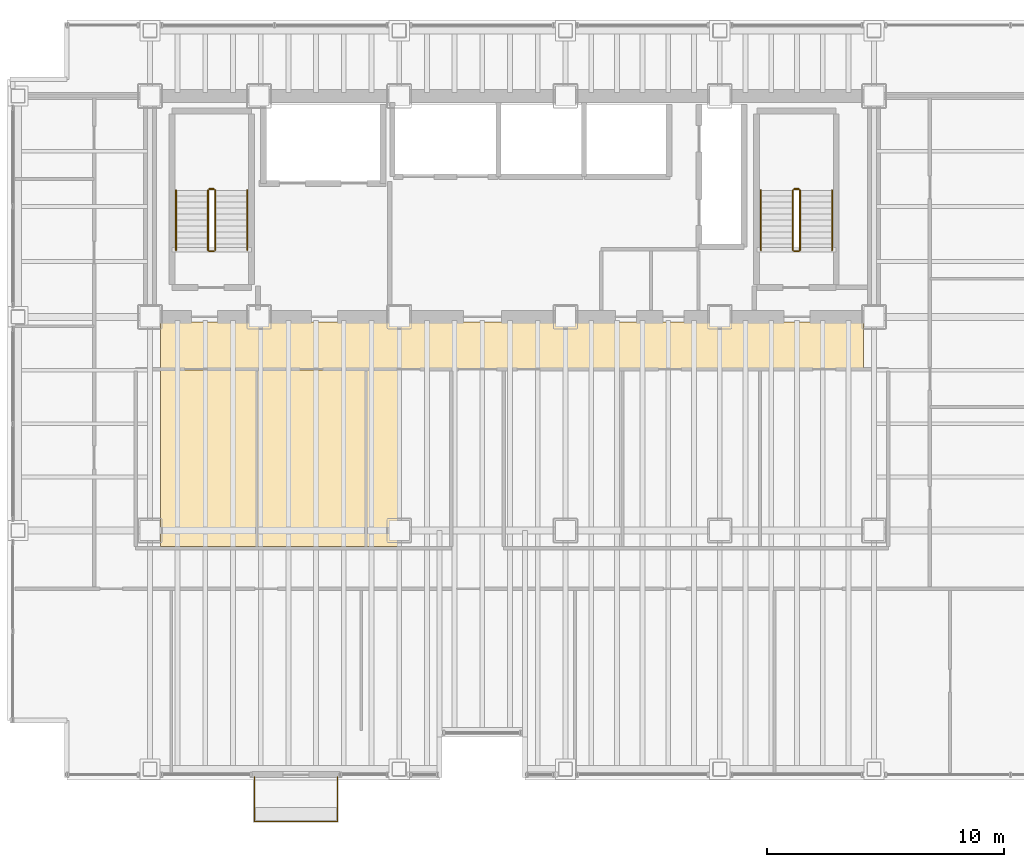
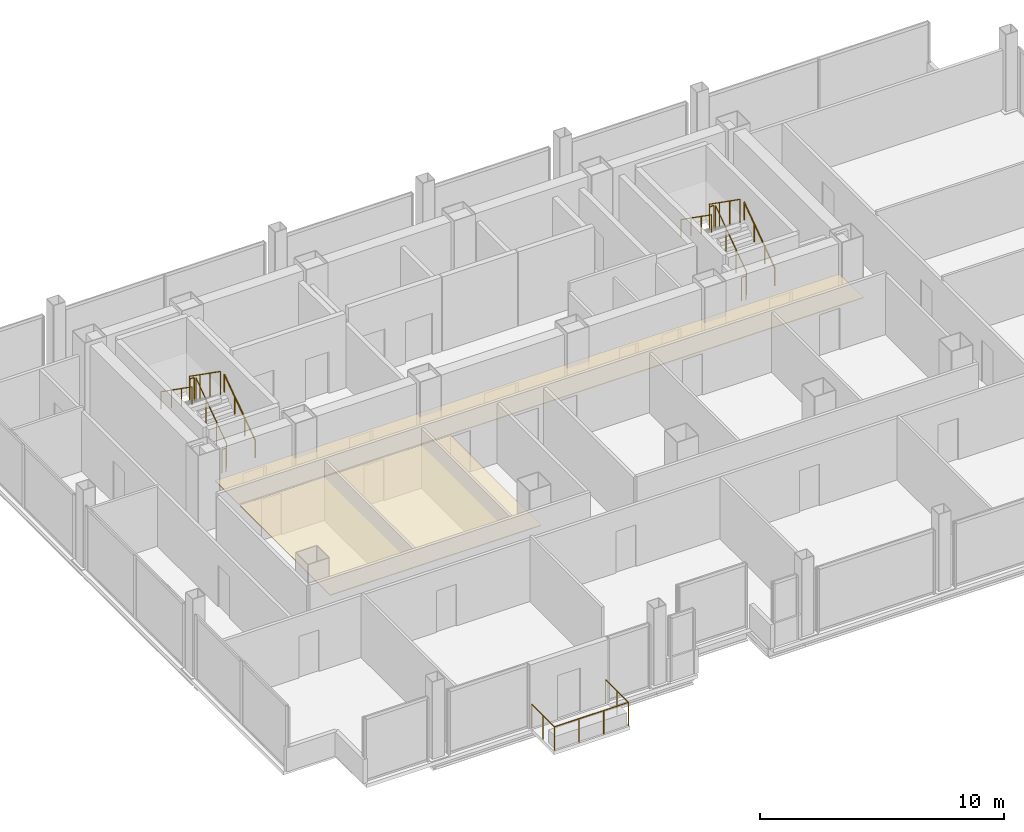
# One storey, part 21 of 21: 13 railings, 2 coverings.
"""IFC4 building model written with IfcOpenShell, lengths in metres."""

from ifc_helpers import new_model, si_unit, direction, frame, origin, origin_2d, place, context, subcontext, project, spatial, polyline, circle, outline, extrude, material, layer, layer_set, type_object, element, save


model = new_model("IFC4")

# Units and contexts
model_context = context("Model", 3, precision=1e-05, world=origin(), true_north=direction((0.0, 1.0)))
body_context = subcontext(model_context, "Body", "Model", "MODEL_VIEW")
ifc_project = project(units=[si_unit("LENGTHUNIT", "METRE"), si_unit("AREAUNIT", "SQUARE_METRE"), si_unit("VOLUMEUNIT", "CUBIC_METRE"), si_unit("PLANEANGLEUNIT", "RADIAN"), si_unit("MASSUNIT", "GRAM", prefix="KILO")], contexts=[model_context])

# Site, building, storey
site_placement = place(None, origin())
site = spatial("IfcSite", under=ifc_project, at=site_placement, CompositionType="ELEMENT")
building_placement = place(site_placement, origin())
building = spatial("IfcBuilding", under=site, at=building_placement, Name="Noeulbin Bourse Tower", CompositionType="ELEMENT")
storey_placement = place(building_placement, frame((0.0, 0.0, 92.800048828125)))
storey = spatial("IfcBuildingStorey", under=building, at=storey_placement, Name="L23", CompositionType="ELEMENT", Elevation=92.800048828125)

# Coverings
ifc_material_1 = material(Name="Perforated Mineral-Fibre Acoustic Tile")
ifc_layer_1 = layer(ifc_material_1, 0.0400390625)
ifc_layer_set_1 = layer_set([ifc_layer_1], Name="Perforated Mineral-Fibre Acoustic Tile")
covering_type = type_object("IfcCoveringType", Name="COV-CEIL-ACT", PredefinedType="CEILING", material=ifc_layer_set_1)
covering_1_placement = place(storey_placement, frame((0.0, 0.0, 2.10986328125)))
element("IfcCovering", 1, at=covering_1_placement, inside=storey, type_object=covering_type, Name="Corridor Suspended Ceiling L23", PredefinedType="CEILING", context=body_context, shape_type="SweptSolid", body=[
    extrude(outline(polyline([(13.949951171875, 26.820068359375), (43.550048828125, 26.820068359375), (43.550048828125, 28.780029296875), (13.949951171875, 28.780029296875), (13.949951171875, 26.820068359375)])), origin(), (0.0, 0.0, 1.0), 0.0400390625),
])
covering_2_placement = place(storey_placement, frame((0.0, 0.0, 2.10986328125)))
element("IfcCovering", 2, at=covering_2_placement, inside=storey, type_object=covering_type, Name="Trading Suite Acoustic Ceiling L23", PredefinedType="CEILING", context=body_context, shape_type="SweptSolid", body=[
    extrude(outline(polyline([(13.949951171875, 19.320068359375), (23.949951171875, 19.320068359375), (23.949951171875, 26.75), (13.949951171875, 26.75), (13.949951171875, 19.320068359375)])), origin(), (0.0, 0.0, 1.0), 0.0400390625),
])

# Railings
ifc_material_2 = material(Name="Laminated SentryGlas and Stainless Steel 316", Category="steel")
ifc_layer_2 = layer(ifc_material_2, 0.06005859375)
ifc_layer_set_2 = layer_set([ifc_layer_2], Name="Laminated SentryGlas and Stainless Steel 316")
railing_type_1 = type_object("IfcRailingType", Name="RLG-BAL-1200", PredefinedType="BALUSTRADE", material=ifc_layer_set_2)
railing_1_placement = place(storey_placement, frame((17.89990234375, 9.6201171875, 0.0)))
element("IfcRailing", 3, at=railing_1_placement, inside=storey, type_object=railing_type_1, Name="Tree-Balcony Glazed Balustrade L23", PredefinedType="BALUSTRADE", context=body_context, shape_type="SweptSolid", body=[
    extrude(circle(Radius=0.02392578125, at=origin_2d()), frame((0.0, 0.0, 1.17578125), z_axis=(0.0, -1.0, 0.0), x_axis=(1.0, 0.0, 0.0)), (0.0, 0.0, 1.0), 1.8701171875),
    extrude(circle(Radius=0.02392578125, at=origin_2d()), frame((0.0, -1.8701171875, 1.17578125), z_axis=(1.0, 0.0, 0.0), x_axis=(0.0, 1.0, 0.0)), (0.0, 0.0, 1.0), 3.5),
    extrude(circle(Radius=0.02392578125, at=origin_2d()), frame((3.5, -1.8701171875, 1.17578125), z_axis=(0.0, 1.0, 0.0), x_axis=(-1.0, 0.0, 0.0)), (0.0, 0.0, 1.0), 1.8701171875),
    extrude(circle(Radius=0.02099609375, at=origin_2d()), origin(), (0.0, 0.0, 1.0), 1.15185546875),
    extrude(circle(Radius=0.02099609375, at=origin_2d()), frame((0.0, -0.93505859375, 0.0)), (0.0, 0.0, 1.0), 1.15185546875),
    extrude(circle(Radius=0.02099609375, at=origin_2d()), frame((0.0, -1.8701171875, 0.0)), (0.0, 0.0, 1.0), 1.15185546875),
    extrude(circle(Radius=0.02099609375, at=origin_2d()), frame((1.166748046875, -1.8701171875, 0.0)), (0.0, 0.0, 1.0), 1.15185546875),
    extrude(circle(Radius=0.02099609375, at=origin_2d()), frame((2.333251953125, -1.8701171875, 0.0)), (0.0, 0.0, 1.0), 1.15185546875),
    extrude(circle(Radius=0.02099609375, at=origin_2d()), frame((3.5, -1.8701171875, 0.0)), (0.0, 0.0, 1.0), 1.15185546875),
    extrude(circle(Radius=0.02099609375, at=origin_2d()), frame((3.5, -0.93505859375, 0.0)), (0.0, 0.0, 1.0), 1.15185546875),
    extrude(circle(Radius=0.02099609375, at=origin_2d()), frame((3.5, 0.0, 0.0)), (0.0, 0.0, 1.0), 1.15185546875),
])
ifc_material_3 = material(Name="Painted Tubular Steel S355", Category="steel")
ifc_layer_3 = layer(ifc_material_3, 0.048095703125)
ifc_layer_set_3 = layer_set([ifc_layer_3], Name="Painted Tubular Steel S355")
railing_type_2 = type_object("IfcRailingType", Name="RLG-STR-GRD", PredefinedType="GUARDRAIL", material=ifc_layer_set_3)
railing_2_placement = place(storey_placement, frame((16.25, 31.81005859375, 0.17724609375)))
element("IfcRailing", 4, at=railing_2_placement, inside=storey, type_object=railing_type_2, Name="L23 ST-1 stair guard 1", PredefinedType="GUARDRAIL", context=body_context, shape_type="SweptSolid", body=[
    extrude(circle(Radius=0.02392578125, at=origin_2d()), frame((0.0, 0.0, 1.17578125), z_axis=(0.0, 0.817904474719, 0.575354039036), x_axis=(-1.0, 0.0, 0.0)), (0.0, 0.0, 1.0), 3.0810546875),
    extrude(circle(Radius=0.02099609375, at=origin_2d()), origin(), (0.0, 0.0, 1.0), 1.15185546875),
    extrude(circle(Radius=0.02099609375, at=origin_2d()), frame((0.0, 0.840087890625, 0.5908203125)), (0.0, 0.0, 1.0), 1.15185546875),
    extrude(circle(Radius=0.02099609375, at=origin_2d()), frame((0.0, 1.679931640625, 1.181884765625)), (0.0, 0.0, 1.0), 1.15185546875),
    extrude(circle(Radius=0.02099609375, at=origin_2d()), frame((0.0, 2.52001953125, 1.772705078125)), (0.0, 0.0, 1.0), 1.15185546875),
])
railing_3_placement = place(storey_placement, frame((16.199951171875, 34.3798828125, 1.949951171875)))
element("IfcRailing", 5, at=railing_3_placement, inside=storey, type_object=railing_type_2, Name="L23 ST-1 stair guard 2", PredefinedType="GUARDRAIL", context=body_context, shape_type="SweptSolid", body=[
    extrude(circle(Radius=0.02392578125, at=origin_2d()), frame((0.0, 0.0, 1.17578125), z_axis=(-1.0, 0.0, 0.0), x_axis=(0.0, -1.0, 0.0)), (0.0, 0.0, 1.0), 0.199951171875),
    extrude(circle(Radius=0.02099609375, at=origin_2d()), origin(), (0.0, 0.0, 1.0), 1.15185546875),
    extrude(circle(Radius=0.02099609375, at=origin_2d()), frame((-0.199951171875, 0.0, 0.0)), (0.0, 0.0, 1.0), 1.15185546875),
])
railing_4_placement = place(storey_placement, frame((15.949951171875, 34.330078125, 2.127197265625)))
element("IfcRailing", 6, at=railing_4_placement, inside=storey, type_object=railing_type_2, Name="L23 ST-1 stair guard 3", PredefinedType="GUARDRAIL", context=body_context, shape_type="SweptSolid", body=[
    extrude(circle(Radius=0.02392578125, at=origin_2d()), frame((0.0, 0.0, 1.17578125), z_axis=(0.0, -0.817904474719, 0.575354039036), x_axis=(1.0, 0.0, 0.0)), (0.0, 0.0, 1.0), 3.0810546875),
    extrude(circle(Radius=0.02099609375, at=origin_2d()), origin(), (0.0, 0.0, 1.0), 1.15185546875),
    extrude(circle(Radius=0.02099609375, at=origin_2d()), frame((0.0, -0.840087890625, 0.5908203125)), (0.0, 0.0, 1.0), 1.15185546875),
    extrude(circle(Radius=0.02099609375, at=origin_2d()), frame((0.0, -1.679931640625, 1.181884765625)), (0.0, 0.0, 1.0), 1.15185546875),
    extrude(circle(Radius=0.02099609375, at=origin_2d()), frame((0.0, -2.52001953125, 1.772705078125)), (0.0, 0.0, 1.0), 1.15185546875),
])
railing_5_placement = place(storey_placement, frame((16.199951171875, 31.760009765625, 0.0)))
element("IfcRailing", 7, at=railing_5_placement, inside=storey, type_object=railing_type_2, Name="L23 ST-1 stair guard 4", PredefinedType="GUARDRAIL", context=body_context, shape_type="SweptSolid", body=[
    extrude(circle(Radius=0.02392578125, at=origin_2d()), frame((0.0, 0.0, 1.17578125), z_axis=(-1.0, 0.0, 0.0), x_axis=(0.0, -1.0, 0.0)), (0.0, 0.0, 1.0), 0.199951171875),
    extrude(circle(Radius=0.02099609375, at=origin_2d()), origin(), (0.0, 0.0, 1.0), 1.15185546875),
    extrude(circle(Radius=0.02099609375, at=origin_2d()), frame((-0.199951171875, 0.0, 0.0)), (0.0, 0.0, 1.0), 1.15185546875),
])
railing_6_placement = place(storey_placement, frame((40.8798828125, 31.81005859375, 0.17724609375)))
element("IfcRailing", 8, at=railing_6_placement, inside=storey, type_object=railing_type_2, Name="L23 ST-2 stair guard 1", PredefinedType="GUARDRAIL", context=body_context, shape_type="SweptSolid", body=[
    extrude(circle(Radius=0.02392578125, at=origin_2d()), frame((0.0, 0.0, 1.17578125), z_axis=(0.0, 0.817904474719, 0.575354039036), x_axis=(-1.0, 0.0, 0.0)), (0.0, 0.0, 1.0), 3.0810546875),
    extrude(circle(Radius=0.02099609375, at=origin_2d()), origin(), (0.0, 0.0, 1.0), 1.15185546875),
    extrude(circle(Radius=0.02099609375, at=origin_2d()), frame((0.0, 0.840087890625, 0.5908203125)), (0.0, 0.0, 1.0), 1.15185546875),
    extrude(circle(Radius=0.02099609375, at=origin_2d()), frame((0.0, 1.679931640625, 1.181884765625)), (0.0, 0.0, 1.0), 1.15185546875),
    extrude(circle(Radius=0.02099609375, at=origin_2d()), frame((0.0, 2.52001953125, 1.772705078125)), (0.0, 0.0, 1.0), 1.15185546875),
])
railing_7_placement = place(storey_placement, frame((40.830078125, 34.3798828125, 1.949951171875)))
element("IfcRailing", 9, at=railing_7_placement, inside=storey, type_object=railing_type_2, Name="L23 ST-2 stair guard 2", PredefinedType="GUARDRAIL", context=body_context, shape_type="SweptSolid", body=[
    extrude(circle(Radius=0.02392578125, at=origin_2d()), frame((0.0, 0.0, 1.17578125), z_axis=(-1.0, 0.0, 0.0), x_axis=(0.0, -1.0, 0.0)), (0.0, 0.0, 1.0), 0.2001953125),
    extrude(circle(Radius=0.02099609375, at=origin_2d()), origin(), (0.0, 0.0, 1.0), 1.15185546875),
    extrude(circle(Radius=0.02099609375, at=origin_2d()), frame((-0.2001953125, 0.0, 0.0)), (0.0, 0.0, 1.0), 1.15185546875),
])
railing_8_placement = place(storey_placement, frame((40.580078125, 34.330078125, 2.127197265625)))
element("IfcRailing", 10, at=railing_8_placement, inside=storey, type_object=railing_type_2, Name="L23 ST-2 stair guard 3", PredefinedType="GUARDRAIL", context=body_context, shape_type="SweptSolid", body=[
    extrude(circle(Radius=0.02392578125, at=origin_2d()), frame((0.0, 0.0, 1.17578125), z_axis=(0.0, -0.817904474719, 0.575354039036), x_axis=(1.0, 0.0, 0.0)), (0.0, 0.0, 1.0), 3.0810546875),
    extrude(circle(Radius=0.02099609375, at=origin_2d()), origin(), (0.0, 0.0, 1.0), 1.15185546875),
    extrude(circle(Radius=0.02099609375, at=origin_2d()), frame((0.0, -0.840087890625, 0.5908203125)), (0.0, 0.0, 1.0), 1.15185546875),
    extrude(circle(Radius=0.02099609375, at=origin_2d()), frame((0.0, -1.679931640625, 1.181884765625)), (0.0, 0.0, 1.0), 1.15185546875),
    extrude(circle(Radius=0.02099609375, at=origin_2d()), frame((0.0, -2.52001953125, 1.772705078125)), (0.0, 0.0, 1.0), 1.15185546875),
])
railing_9_placement = place(storey_placement, frame((40.830078125, 31.760009765625, 0.0)))
element("IfcRailing", 11, at=railing_9_placement, inside=storey, type_object=railing_type_2, Name="L23 ST-2 stair guard 4", PredefinedType="GUARDRAIL", context=body_context, shape_type="SweptSolid", body=[
    extrude(circle(Radius=0.02392578125, at=origin_2d()), frame((0.0, 0.0, 1.17578125), z_axis=(-1.0, 0.0, 0.0), x_axis=(0.0, -1.0, 0.0)), (0.0, 0.0, 1.0), 0.2001953125),
    extrude(circle(Radius=0.02099609375, at=origin_2d()), origin(), (0.0, 0.0, 1.0), 1.15185546875),
    extrude(circle(Radius=0.02099609375, at=origin_2d()), frame((-0.2001953125, 0.0, 0.0)), (0.0, 0.0, 1.0), 1.15185546875),
])
ifc_material_4 = material(Name="Brushed Stainless Steel 316", Category="steel")
ifc_layer_4 = layer(ifc_material_4, 0.048095703125)
ifc_layer_set_4 = layer_set([ifc_layer_4], Name="Brushed Stainless Steel 316")
railing_type_3 = type_object("IfcRailingType", Name="RLG-STR-HND", PredefinedType="HANDRAIL", material=ifc_layer_set_4)
railing_10_placement = place(storey_placement, frame((17.60009765625, 31.81005859375, 0.17724609375)))
element("IfcRailing", 12, at=railing_10_placement, inside=storey, type_object=railing_type_3, Name="L23 ST-1 stair handrail 1", PredefinedType="HANDRAIL", context=body_context, shape_type="SweptSolid", body=[
    extrude(circle(Radius=0.02392578125, at=origin_2d()), frame((0.0, 0.0, 0.8759765625), z_axis=(0.0, 0.817904474719, 0.575354039036), x_axis=(-1.0, 0.0, 0.0)), (0.0, 0.0, 1.0), 3.0810546875),
    extrude(circle(Radius=0.02099609375, at=origin_2d()), origin(), (0.0, 0.0, 1.0), 0.851806640625),
    extrude(circle(Radius=0.02099609375, at=origin_2d()), frame((0.0, 0.840087890625, 0.5908203125)), (0.0, 0.0, 1.0), 0.851806640625),
    extrude(circle(Radius=0.02099609375, at=origin_2d()), frame((0.0, 1.679931640625, 1.181884765625)), (0.0, 0.0, 1.0), 0.851806640625),
    extrude(circle(Radius=0.02099609375, at=origin_2d()), frame((0.0, 2.52001953125, 1.772705078125)), (0.0, 0.0, 1.0), 0.851806640625),
])
railing_11_placement = place(storey_placement, frame((14.60009765625, 34.330078125, 2.127197265625)))
element("IfcRailing", 13, at=railing_11_placement, inside=storey, type_object=railing_type_3, Name="L23 ST-1 stair handrail 2", PredefinedType="HANDRAIL", context=body_context, shape_type="SweptSolid", body=[
    extrude(circle(Radius=0.02392578125, at=origin_2d()), frame((0.0, 0.0, 0.8759765625), z_axis=(0.0, -0.817904474719, 0.575354039036), x_axis=(1.0, 0.0, 0.0)), (0.0, 0.0, 1.0), 3.0810546875),
    extrude(circle(Radius=0.02099609375, at=origin_2d()), origin(), (0.0, 0.0, 1.0), 0.851806640625),
    extrude(circle(Radius=0.02099609375, at=origin_2d()), frame((0.0, -0.840087890625, 0.5908203125)), (0.0, 0.0, 1.0), 0.851806640625),
    extrude(circle(Radius=0.02099609375, at=origin_2d()), frame((0.0, -1.679931640625, 1.181884765625)), (0.0, 0.0, 1.0), 0.851806640625),
    extrude(circle(Radius=0.02099609375, at=origin_2d()), frame((0.0, -2.52001953125, 1.772705078125)), (0.0, 0.0, 1.0), 0.851806640625),
])
railing_12_placement = place(storey_placement, frame((42.22998046875, 31.81005859375, 0.17724609375)))
element("IfcRailing", 14, at=railing_12_placement, inside=storey, type_object=railing_type_3, Name="L23 ST-2 stair handrail 1", PredefinedType="HANDRAIL", context=body_context, shape_type="SweptSolid", body=[
    extrude(circle(Radius=0.02392578125, at=origin_2d()), frame((0.0, 0.0, 0.8759765625), z_axis=(0.0, 0.817904474719, 0.575354039036), x_axis=(-1.0, 0.0, 0.0)), (0.0, 0.0, 1.0), 3.0810546875),
    extrude(circle(Radius=0.02099609375, at=origin_2d()), origin(), (0.0, 0.0, 1.0), 0.851806640625),
    extrude(circle(Radius=0.02099609375, at=origin_2d()), frame((0.0, 0.840087890625, 0.5908203125)), (0.0, 0.0, 1.0), 0.851806640625),
    extrude(circle(Radius=0.02099609375, at=origin_2d()), frame((0.0, 1.679931640625, 1.181884765625)), (0.0, 0.0, 1.0), 0.851806640625),
    extrude(circle(Radius=0.02099609375, at=origin_2d()), frame((0.0, 2.52001953125, 1.772705078125)), (0.0, 0.0, 1.0), 0.851806640625),
])
railing_13_placement = place(storey_placement, frame((39.22998046875, 34.330078125, 2.127197265625)))
element("IfcRailing", 15, at=railing_13_placement, inside=storey, type_object=railing_type_3, Name="L23 ST-2 stair handrail 2", PredefinedType="HANDRAIL", context=body_context, shape_type="SweptSolid", body=[
    extrude(circle(Radius=0.02392578125, at=origin_2d()), frame((0.0, 0.0, 0.8759765625), z_axis=(0.0, -0.817904474719, 0.575354039036), x_axis=(1.0, 0.0, 0.0)), (0.0, 0.0, 1.0), 3.0810546875),
    extrude(circle(Radius=0.02099609375, at=origin_2d()), origin(), (0.0, 0.0, 1.0), 0.851806640625),
    extrude(circle(Radius=0.02099609375, at=origin_2d()), frame((0.0, -0.840087890625, 0.5908203125)), (0.0, 0.0, 1.0), 0.851806640625),
    extrude(circle(Radius=0.02099609375, at=origin_2d()), frame((0.0, -1.679931640625, 1.181884765625)), (0.0, 0.0, 1.0), 0.851806640625),
    extrude(circle(Radius=0.02099609375, at=origin_2d()), frame((0.0, -2.52001953125, 1.772705078125)), (0.0, 0.0, 1.0), 0.851806640625),
])

save(model, "model.ifc")
